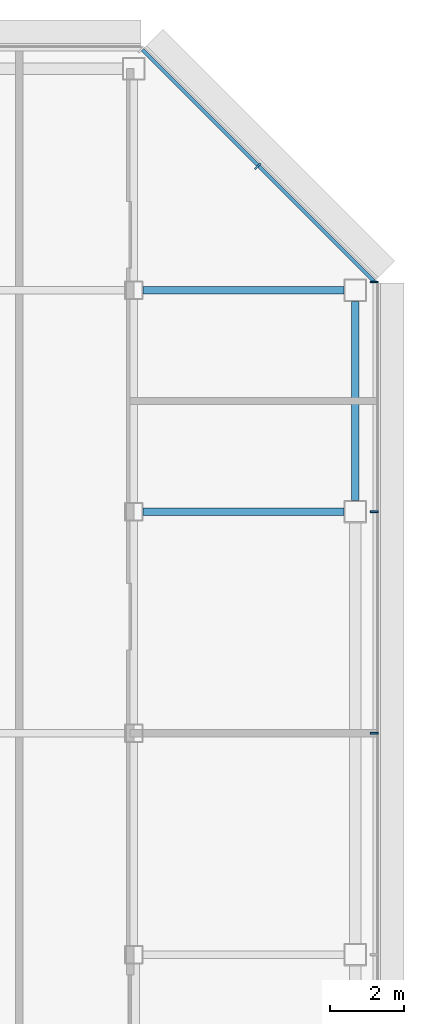
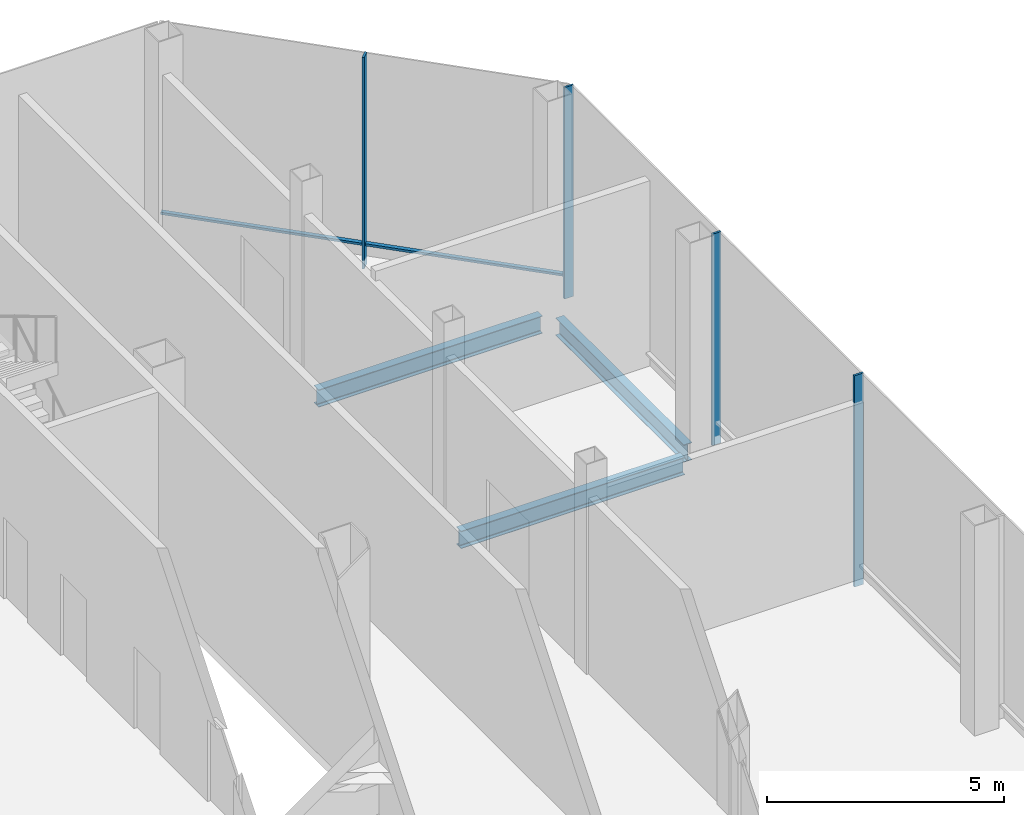
# One storey, part 17 of 26: 5 members, 3 beams, 2 elements without a shape of their own.
"""IFC4 building model written with IfcOpenShell, lengths in metres."""

from ifc_helpers import new_model, si_unit, direction, frame, origin, origin_2d, place, context, subcontext, project, spatial, rectangle, i_section, extrude, material, material_profile, profile_set, type_object, element, aggregate, save


model = new_model("IFC4")

# Units and contexts
model_context = context("Model", 3, precision=1e-05, world=origin(), true_north=direction((0.0, 1.0)))
body_context = subcontext(model_context, "Body", "Model", "MODEL_VIEW")
ifc_project = project(units=[si_unit("LENGTHUNIT", "METRE"), si_unit("AREAUNIT", "SQUARE_METRE"), si_unit("VOLUMEUNIT", "CUBIC_METRE"), si_unit("PLANEANGLEUNIT", "RADIAN"), si_unit("MASSUNIT", "GRAM", prefix="KILO")], contexts=[model_context])

# Site, building, storey
site_placement = place(None, origin())
site = spatial("IfcSite", under=ifc_project, at=site_placement, CompositionType="ELEMENT")
building_placement = place(site_placement, origin())
building = spatial("IfcBuilding", under=site, at=building_placement, Name="Sorahane Residences", CompositionType="ELEMENT")
storey_placement = place(building_placement, frame((0.0, 0.0, 257.60009765625)))
storey = spatial("IfcBuildingStorey", under=building, at=storey_placement, Name="L61", CompositionType="ELEMENT", Elevation=257.60009765625)

# Curtain wall, members
ifc_material_1 = material(Name="Dark low-e glass and black anodised aluminium", Category="aluminium")
curtain_wall_type = type_object("IfcCurtainWallType", Name="Curtain wall CW-4 Sky floor frameless wall", PredefinedType="NOTDEFINED", material=ifc_material_1)
curtain_wall_1_placement = place(storey_placement, origin())
curtain_wall_1 = element("IfcCurtainWall", 1, at=curtain_wall_1_placement, inside=storey, type_object=curtain_wall_type, Name="CW-4 curtain wall L61 E1", PredefinedType="NOTDEFINED")
ifc_material_2 = material(Name="Black anodised aluminium", Category="aluminium")
ifc_material_profile_1 = material_profile(ifc_material_2, rectangle(XDim=0.219970703125, YDim=0.050048828125, at=origin_2d()), Name="Curtain wall mullion CW-4 black anodised aluminium 50x220")
ifc_profile_set_1 = profile_set([ifc_material_profile_1], Name="Black anodised aluminium")
member_type_1 = type_object("IfcMemberType", Name="Curtain wall mullion CW-4 black anodised aluminium 50x220", PredefinedType="MULLION", material=ifc_profile_set_1)
member_1_placement = place(storey_placement, frame((54.510009765625, 30.0, -0.22021484375), z_axis=(0.0, 0.0, 1.0), x_axis=(1.0, 0.0, 0.0)))
member_1 = element("IfcMember", 2, at=member_1_placement, type_object=member_type_1, Name="CW-4 mullion L61 E1.5", PredefinedType="MULLION", context=body_context, shape_type="SweptSolid", body=[
    extrude(rectangle(XDim=0.219970703125, YDim=0.050048828125, at=origin_2d()), origin(), (0.0, 0.0, 1.0), 5.440185546875),
])
member_2_placement = place(storey_placement, frame((54.510009765625, 36.0, -0.22021484375), z_axis=(0.0, 0.0, 1.0), x_axis=(1.0, 0.0, 0.0)))
member_2 = element("IfcMember", 3, at=member_2_placement, type_object=member_type_1, Name="CW-4 mullion L61 E1.6", PredefinedType="MULLION", context=body_context, shape_type="SweptSolid", body=[
    extrude(rectangle(XDim=0.219970703125, YDim=0.050048828125, at=origin_2d()), origin(), (0.0, 0.0, 1.0), 5.440185546875),
])
member_3_placement = place(storey_placement, frame((54.510009765625, 42.2236328125, -0.22021484375), z_axis=(0.0, 0.0, 1.0), x_axis=(1.0, 0.0, 0.0)))
member_3 = element("IfcMember", 4, at=member_3_placement, type_object=member_type_1, Name="CW-4 mullion L61 E1.7", PredefinedType="MULLION", context=body_context, shape_type="SweptSolid", body=[
    extrude(rectangle(XDim=0.219970703125, YDim=0.050048828125, at=origin_2d()), origin(), (0.0, 0.0, 1.0), 5.440185546875),
])
aggregate(curtain_wall_1, [member_1, member_2, member_3])

curtain_wall_2_placement = place(storey_placement, origin())
curtain_wall_2 = element("IfcCurtainWall", 5, at=curtain_wall_2_placement, inside=storey, type_object=curtain_wall_type, Name="CW-4 curtain wall L61 NE1", PredefinedType="NOTDEFINED")
member_4_placement = place(storey_placement, frame((51.360595703125, 45.360595703125, -0.22021484375), z_axis=(0.0, 0.0, 1.0), x_axis=(0.707106781187, 0.707106781187, 0.0)))
member_4 = element("IfcMember", 6, at=member_4_placement, type_object=member_type_1, Name="CW-4 mullion L61 NE1.2", PredefinedType="MULLION", context=body_context, shape_type="SweptSolid", body=[
    extrude(rectangle(XDim=0.219970703125, YDim=0.050048828125, at=origin_2d()), origin(), (0.0, 0.0, 1.0), 5.440185546875),
])
ifc_material_3 = material(Name="Black anodised aluminium", Category="aluminium")
ifc_material_profile_2 = material_profile(ifc_material_3, rectangle(XDim=0.10009765625, YDim=0.06005859375, at=origin_2d()), Name="Curtain wall transom CW-4 black anodised aluminium 60x100")
ifc_profile_set_2 = profile_set([ifc_material_profile_2], Name="Black anodised aluminium")
member_type_2 = type_object("IfcMemberType", Name="Curtain wall transom CW-4 black anodised aluminium 60x100", PredefinedType="USERDEFINED", material=ifc_profile_set_2)
member_5_placement = place(storey_placement, frame((54.51513671875, 42.234375, 0.349853515625), z_axis=(-0.707106781187, 0.707106781187, 0.0), x_axis=(-0.707106781187, -0.707106781187, 0.0)))
member_5 = element("IfcMember", 7, at=member_5_placement, type_object=member_type_2, Name="CW-4 transom L61 NE1", ObjectType="TRANSOM", PredefinedType="USERDEFINED", context=body_context, shape_type="SweptSolid", body=[
    extrude(rectangle(XDim=0.10009765625, YDim=0.06005859375, at=origin_2d()), origin(), (0.0, 0.0, 1.0), 8.88232421875),
])
aggregate(curtain_wall_2, [member_4, member_5])

# Beams
ifc_material_4 = material(Name="Steel Q355B", Category="steel")
ifc_material_profile_3 = material_profile(ifc_material_4, i_section(OverallWidth=0.199951171875, OverallDepth=0.449951171875, WebThickness=0.009033203125, FlangeThickness=0.013916015625, FilletRadius=0.02001953125, at=origin_2d()), Name="HN 450x200x9x14")
ifc_profile_set_3 = profile_set([ifc_material_profile_3], Name="Steel Q355B")
beam_type = type_object("IfcBeamType", Name="Steel floor beam HN 450x200x9x14 Q355B", PredefinedType="BEAM", material=ifc_profile_set_3)
beam_1_placement = place(storey_placement, frame((48.25, 36.0, -0.445068359375), z_axis=(1.0, 0.0, 0.0), x_axis=(0.0, 1.0, 0.0)))
element("IfcBeam", 8, at=beam_1_placement, inside=storey, type_object=beam_type, Name="Beam L61 014", PredefinedType="BEAM", context=body_context, shape_type="SweptSolid", body=[
    extrude(i_section(OverallWidth=0.199951171875, OverallDepth=0.449951171875, WebThickness=0.009033203125, FlangeThickness=0.013916015625, FilletRadius=0.02001953125, at=origin_2d()), origin(), (0.0, 0.0, 1.0), 5.449951171875),
])
beam_2_placement = place(storey_placement, frame((54.0, 36.300048828125, -0.445068359375), z_axis=(0.0, 1.0, 0.0), x_axis=(-1.0, 0.0, 0.0)))
element("IfcBeam", 9, at=beam_2_placement, inside=storey, type_object=beam_type, Name="Beam L61 067", PredefinedType="BEAM", context=body_context, shape_type="SweptSolid", body=[
    extrude(i_section(OverallWidth=0.199951171875, OverallDepth=0.449951171875, WebThickness=0.009033203125, FlangeThickness=0.013916015625, FilletRadius=0.02001953125, at=origin_2d()), origin(), (0.0, 0.0, 1.0), 5.39990234375),
])
beam_3_placement = place(storey_placement, frame((48.25, 42.0, -0.445068359375), z_axis=(1.0, 0.0, 0.0), x_axis=(0.0, 1.0, 0.0)))
element("IfcBeam", 10, at=beam_3_placement, inside=storey, type_object=beam_type, Name="Beam L61 092", PredefinedType="BEAM", context=body_context, shape_type="SweptSolid", body=[
    extrude(i_section(OverallWidth=0.199951171875, OverallDepth=0.449951171875, WebThickness=0.009033203125, FlangeThickness=0.013916015625, FilletRadius=0.02001953125, at=origin_2d()), origin(), (0.0, 0.0, 1.0), 5.449951171875),
])

save(model, "model.ifc")
